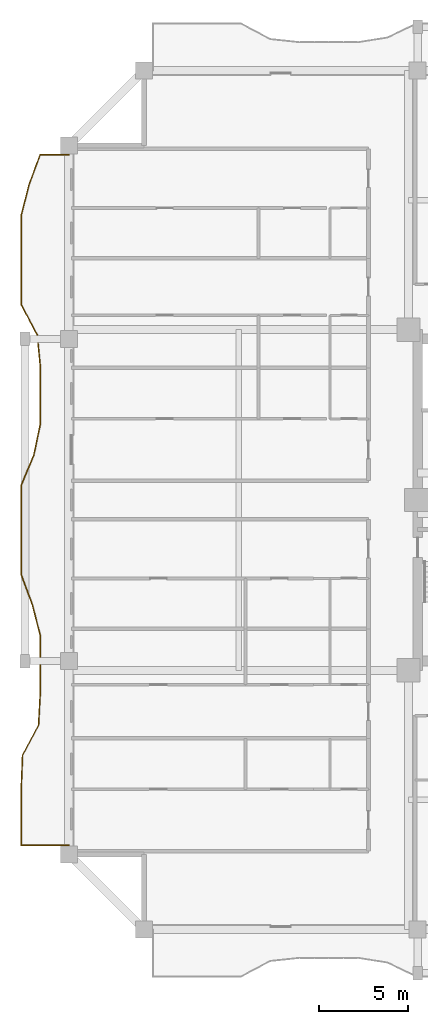
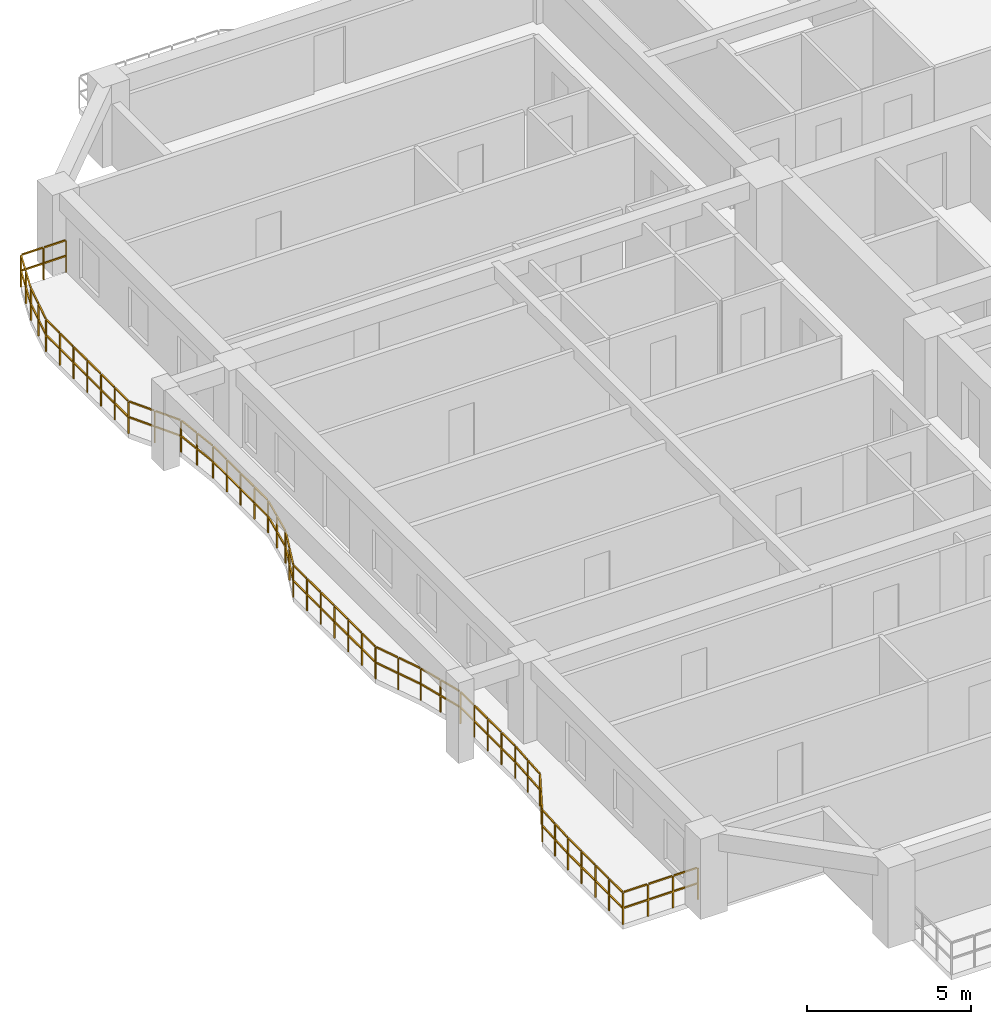
# One storey, part 10 of 13: 1 railing.
"""IFC4 building model written with IfcOpenShell, lengths in metres."""

from ifc_helpers import new_model, si_unit, direction, frame, origin, origin_2d, place, context, subcontext, project, spatial, rectangle, extrude, material, type_object, element, save


model = new_model("IFC4")

# Units and contexts
model_context = context("Model", 3, precision=1e-05, world=origin(), true_north=direction((0.0, 1.0)))
body_context = subcontext(model_context, "Body", "Model", "MODEL_VIEW")
ifc_project = project(units=[si_unit("LENGTHUNIT", "METRE"), si_unit("AREAUNIT", "SQUARE_METRE"), si_unit("VOLUMEUNIT", "CUBIC_METRE"), si_unit("PLANEANGLEUNIT", "RADIAN"), si_unit("MASSUNIT", "GRAM", prefix="KILO")], contexts=[model_context])

# Site, building, storey
site_placement = place(None, origin())
site = spatial("IfcSite", under=ifc_project, at=site_placement, CompositionType="ELEMENT")
building_placement = place(site_placement, origin())
building = spatial("IfcBuilding", under=site, at=building_placement, Name="Saelheon Loggia Tower", CompositionType="ELEMENT")
storey_placement = place(building_placement, frame((0.0, 0.0, 92.85009765625)))
storey = spatial("IfcBuildingStorey", under=building, at=storey_placement, Name="L29", CompositionType="ELEMENT", Elevation=92.85009765625)

# Railing
ifc_material = material(Name="Architectural Precast Concrete and Laminated Glass Guard", Category="concrete")
railing_type = type_object("IfcRailingType", Name="Guard_Loggia_RL_LOG", PredefinedType="BALUSTRADE", material=ifc_material)
railing_placement = place(storey_placement, frame((12.0, 46.300048828125, 0.0)))
element("IfcRailing", 1, at=railing_placement, inside=storey, type_object=railing_type, Name="L29 West Loggia Balustrade", PredefinedType="BALUSTRADE", context=body_context, shape_type="SweptSolid", body=[
    extrude(rectangle(XDim=0.048095703125, YDim=0.048095703125, at=origin_2d()), frame((-0.033203125, 0.0, 1.19580078125), z_axis=(-1.0, 0.0, 0.0), x_axis=(0.0, -1.0, 0.0)), (0.0, 0.0, 1.0), 0.733642578125),
    extrude(rectangle(XDim=0.048095703125, YDim=0.048095703125, at=origin_2d()), frame((-0.033203125, 0.0, 0.60986328125), z_axis=(-1.0, 0.0, 0.0), x_axis=(0.0, -1.0, 0.0)), (0.0, 0.0, 1.0), 0.733642578125),
    extrude(rectangle(XDim=0.048095703125, YDim=0.048095703125, at=origin_2d()), frame((-0.833251953125, 0.0, 1.19580078125), z_axis=(-1.0, 0.0, 0.0), x_axis=(0.0, -1.0, 0.0)), (0.0, 0.0, 1.0), 0.733642578125),
    extrude(rectangle(XDim=0.048095703125, YDim=0.048095703125, at=origin_2d()), frame((-0.833251953125, 0.0, 0.60986328125), z_axis=(-1.0, 0.0, 0.0), x_axis=(0.0, -1.0, 0.0)), (0.0, 0.0, 1.0), 0.733642578125),
    extrude(rectangle(XDim=0.048095703125, YDim=0.048095703125, at=origin_2d()), frame((-1.611572265625, -0.03125, 1.19580078125), z_axis=(-0.346318659518, -0.938116936245, 0.0), x_axis=(0.938116936245, -0.346318659518, 0.0)), (0.0, 0.0, 1.0), 0.828125),
    extrude(rectangle(XDim=0.048095703125, YDim=0.048095703125, at=origin_2d()), frame((-1.611572265625, -0.03125, 0.60986328125), z_axis=(-0.346318659518, -0.938116936245, 0.0), x_axis=(0.938116936245, -0.346318659518, 0.0)), (0.0, 0.0, 1.0), 0.828125),
    extrude(rectangle(XDim=0.048095703125, YDim=0.048095703125, at=origin_2d()), frame((-1.92138671875, -0.870361328125, 1.19580078125), z_axis=(-0.346318659518, -0.938116936245, 0.0), x_axis=(0.938116936245, -0.346318659518, 0.0)), (0.0, 0.0, 1.0), 0.828125),
    extrude(rectangle(XDim=0.048095703125, YDim=0.048095703125, at=origin_2d()), frame((-1.92138671875, -0.870361328125, 0.60986328125), z_axis=(-0.346318659518, -0.938116936245, 0.0), x_axis=(0.938116936245, -0.346318659518, 0.0)), (0.0, 0.0, 1.0), 0.828125),
    extrude(rectangle(XDim=0.048095703125, YDim=0.048095703125, at=origin_2d()), frame((-2.22802734375, -1.710693359375, 1.19580078125), z_axis=(-0.248334659432, -0.968674298681, 0.0), x_axis=(0.968674298681, -0.248334659432, 0.0)), (0.0, 0.0, 1.0), 0.799560546875),
    extrude(rectangle(XDim=0.048095703125, YDim=0.048095703125, at=origin_2d()), frame((-2.22802734375, -1.710693359375, 0.60986328125), z_axis=(-0.248334659432, -0.968674298681, 0.0), x_axis=(0.968674298681, -0.248334659432, 0.0)), (0.0, 0.0, 1.0), 0.799560546875),
    extrude(rectangle(XDim=0.048095703125, YDim=0.048095703125, at=origin_2d()), frame((-2.443115234375, -2.549560546875, 1.19580078125), z_axis=(-0.248334659432, -0.968674298681, 0.0), x_axis=(0.968674298681, -0.248334659432, 0.0)), (0.0, 0.0, 1.0), 0.799560546875),
    extrude(rectangle(XDim=0.048095703125, YDim=0.048095703125, at=origin_2d()), frame((-2.443115234375, -2.549560546875, 0.60986328125), z_axis=(-0.248334659432, -0.968674298681, 0.0), x_axis=(0.968674298681, -0.248334659432, 0.0)), (0.0, 0.0, 1.0), 0.799560546875),
    extrude(rectangle(XDim=0.048095703125, YDim=0.048095703125, at=origin_2d()), frame((-2.64990234375, -3.3896484375, 1.19580078125), z_axis=(0.0, -1.0, 0.0), x_axis=(1.0, 0.0, 0.0)), (0.0, 0.0, 1.0), 0.772705078125),
    extrude(rectangle(XDim=0.048095703125, YDim=0.048095703125, at=origin_2d()), frame((-2.64990234375, -3.3896484375, 0.60986328125), z_axis=(0.0, -1.0, 0.0), x_axis=(1.0, 0.0, 0.0)), (0.0, 0.0, 1.0), 0.772705078125),
    extrude(rectangle(XDim=0.048095703125, YDim=0.048095703125, at=origin_2d()), frame((-2.64990234375, -4.22900390625, 1.19580078125), z_axis=(0.0, -1.0, 0.0), x_axis=(1.0, 0.0, 0.0)), (0.0, 0.0, 1.0), 0.772705078125),
    extrude(rectangle(XDim=0.048095703125, YDim=0.048095703125, at=origin_2d()), frame((-2.64990234375, -4.22900390625, 0.60986328125), z_axis=(0.0, -1.0, 0.0), x_axis=(1.0, 0.0, 0.0)), (0.0, 0.0, 1.0), 0.772705078125),
    extrude(rectangle(XDim=0.048095703125, YDim=0.048095703125, at=origin_2d()), frame((-2.64990234375, -5.068115234375, 1.19580078125), z_axis=(0.0, -1.0, 0.0), x_axis=(1.0, 0.0, 0.0)), (0.0, 0.0, 1.0), 0.772705078125),
    extrude(rectangle(XDim=0.048095703125, YDim=0.048095703125, at=origin_2d()), frame((-2.64990234375, -5.068115234375, 0.60986328125), z_axis=(0.0, -1.0, 0.0), x_axis=(1.0, 0.0, 0.0)), (0.0, 0.0, 1.0), 0.772705078125),
    extrude(rectangle(XDim=0.048095703125, YDim=0.048095703125, at=origin_2d()), frame((-2.64990234375, -5.9072265625, 1.19580078125), z_axis=(0.0, -1.0, 0.0), x_axis=(1.0, 0.0, 0.0)), (0.0, 0.0, 1.0), 0.772705078125),
    extrude(rectangle(XDim=0.048095703125, YDim=0.048095703125, at=origin_2d()), frame((-2.64990234375, -5.9072265625, 0.60986328125), z_axis=(0.0, -1.0, 0.0), x_axis=(1.0, 0.0, 0.0)), (0.0, 0.0, 1.0), 0.772705078125),
    extrude(rectangle(XDim=0.048095703125, YDim=0.048095703125, at=origin_2d()), frame((-2.64990234375, -6.746337890625, 1.19580078125), z_axis=(0.0, -1.0, 0.0), x_axis=(1.0, 0.0, 0.0)), (0.0, 0.0, 1.0), 0.772705078125),
    extrude(rectangle(XDim=0.048095703125, YDim=0.048095703125, at=origin_2d()), frame((-2.64990234375, -6.746337890625, 0.60986328125), z_axis=(0.0, -1.0, 0.0), x_axis=(1.0, 0.0, 0.0)), (0.0, 0.0, 1.0), 0.772705078125),
    extrude(rectangle(XDim=0.048095703125, YDim=0.048095703125, at=origin_2d()), frame((-2.64990234375, -7.58544921875, 1.19580078125), z_axis=(0.0, -1.0, 0.0), x_axis=(1.0, 0.0, 0.0)), (0.0, 0.0, 1.0), 0.772705078125),
    extrude(rectangle(XDim=0.048095703125, YDim=0.048095703125, at=origin_2d()), frame((-2.64990234375, -7.58544921875, 0.60986328125), z_axis=(0.0, -1.0, 0.0), x_axis=(1.0, 0.0, 0.0)), (0.0, 0.0, 1.0), 0.772705078125),
    extrude(rectangle(XDim=0.048095703125, YDim=0.048095703125, at=origin_2d()), frame((-2.63427734375, -8.420654296875, 1.19580078125), z_axis=(0.466764209915, -0.884381802358, 0.0), x_axis=(0.884381802358, 0.466764209915, 0.0)), (0.0, 0.0, 1.0), 0.88232421875),
    extrude(rectangle(XDim=0.048095703125, YDim=0.048095703125, at=origin_2d()), frame((-2.63427734375, -8.420654296875, 0.60986328125), z_axis=(0.466764209915, -0.884381802358, 0.0), x_axis=(0.884381802358, 0.466764209915, 0.0)), (0.0, 0.0, 1.0), 0.88232421875),
    extrude(rectangle(XDim=0.048095703125, YDim=0.048095703125, at=origin_2d()), frame((-2.19140625, -9.259765625, 1.19580078125), z_axis=(0.466764209915, -0.884381802358, 0.0), x_axis=(0.884381802358, 0.466764209915, 0.0)), (0.0, 0.0, 1.0), 0.88232421875),
    extrude(rectangle(XDim=0.048095703125, YDim=0.048095703125, at=origin_2d()), frame((-2.19140625, -9.259765625, 0.60986328125), z_axis=(0.466764209915, -0.884381802358, 0.0), x_axis=(0.884381802358, 0.466764209915, 0.0)), (0.0, 0.0, 1.0), 0.88232421875),
    extrude(rectangle(XDim=0.048095703125, YDim=0.048095703125, at=origin_2d()), frame((-1.760986328125, -10.1025390625, 1.19580078125), z_axis=(0.097295853683, -0.995255503304, 0.0), x_axis=(0.995255503304, 0.097295853683, 0.0)), (0.0, 0.0, 1.0), 0.776611328125),
    extrude(rectangle(XDim=0.048095703125, YDim=0.048095703125, at=origin_2d()), frame((-1.760986328125, -10.1025390625, 0.60986328125), z_axis=(0.097295853683, -0.995255503304, 0.0), x_axis=(0.995255503304, 0.097295853683, 0.0)), (0.0, 0.0, 1.0), 0.776611328125),
    extrude(rectangle(XDim=0.048095703125, YDim=0.048095703125, at=origin_2d()), frame((-1.678955078125, -10.941650390625, 1.19580078125), z_axis=(0.097295853683, -0.995255503304, 0.0), x_axis=(0.995255503304, 0.097295853683, 0.0)), (0.0, 0.0, 1.0), 0.776611328125),
    extrude(rectangle(XDim=0.048095703125, YDim=0.048095703125, at=origin_2d()), frame((-1.678955078125, -10.941650390625, 0.60986328125), z_axis=(0.097295853683, -0.995255503304, 0.0), x_axis=(0.995255503304, 0.097295853683, 0.0)), (0.0, 0.0, 1.0), 0.776611328125),
    extrude(rectangle(XDim=0.048095703125, YDim=0.048095703125, at=origin_2d()), frame((-1.60009765625, -11.781005859375, 1.19580078125), z_axis=(0.0, -1.0, 0.0), x_axis=(1.0, 0.0, 0.0)), (0.0, 0.0, 1.0), 0.772705078125),
    extrude(rectangle(XDim=0.048095703125, YDim=0.048095703125, at=origin_2d()), frame((-1.60009765625, -11.781005859375, 0.60986328125), z_axis=(0.0, -1.0, 0.0), x_axis=(1.0, 0.0, 0.0)), (0.0, 0.0, 1.0), 0.772705078125),
    extrude(rectangle(XDim=0.048095703125, YDim=0.048095703125, at=origin_2d()), frame((-1.60009765625, -12.620361328125, 1.19580078125), z_axis=(0.0, -1.0, 0.0), x_axis=(1.0, 0.0, 0.0)), (0.0, 0.0, 1.0), 0.772705078125),
    extrude(rectangle(XDim=0.048095703125, YDim=0.048095703125, at=origin_2d()), frame((-1.60009765625, -12.620361328125, 0.60986328125), z_axis=(0.0, -1.0, 0.0), x_axis=(1.0, 0.0, 0.0)), (0.0, 0.0, 1.0), 0.772705078125),
    extrude(rectangle(XDim=0.048095703125, YDim=0.048095703125, at=origin_2d()), frame((-1.60009765625, -13.45947265625, 1.19580078125), z_axis=(0.0, -1.0, 0.0), x_axis=(1.0, 0.0, 0.0)), (0.0, 0.0, 1.0), 0.7724609375),
    extrude(rectangle(XDim=0.048095703125, YDim=0.048095703125, at=origin_2d()), frame((-1.60009765625, -13.45947265625, 0.60986328125), z_axis=(0.0, -1.0, 0.0), x_axis=(1.0, 0.0, 0.0)), (0.0, 0.0, 1.0), 0.7724609375),
    extrude(rectangle(XDim=0.048095703125, YDim=0.048095703125, at=origin_2d()), frame((-1.60009765625, -14.298583984375, 1.19580078125), z_axis=(0.0, -1.0, 0.0), x_axis=(1.0, 0.0, 0.0)), (0.0, 0.0, 1.0), 0.7724609375),
    extrude(rectangle(XDim=0.048095703125, YDim=0.048095703125, at=origin_2d()), frame((-1.60009765625, -14.298583984375, 0.60986328125), z_axis=(0.0, -1.0, 0.0), x_axis=(1.0, 0.0, 0.0)), (0.0, 0.0, 1.0), 0.7724609375),
    extrude(rectangle(XDim=0.048095703125, YDim=0.048095703125, at=origin_2d()), frame((-1.60693359375, -15.13671875, 1.19580078125), z_axis=(-0.204596686386, -0.978846359711, 0.0), x_axis=(0.978846359711, -0.204596686386, 0.0)), (0.0, 0.0, 1.0), 0.791015625),
    extrude(rectangle(XDim=0.048095703125, YDim=0.048095703125, at=origin_2d()), frame((-1.60693359375, -15.13671875, 0.60986328125), z_axis=(-0.204596686386, -0.978846359711, 0.0), x_axis=(0.978846359711, -0.204596686386, 0.0)), (0.0, 0.0, 1.0), 0.791015625),
    extrude(rectangle(XDim=0.048095703125, YDim=0.048095703125, at=origin_2d()), frame((-1.7822265625, -15.97607421875, 1.19580078125), z_axis=(-0.204596686386, -0.978846359711, 0.0), x_axis=(0.978846359711, -0.204596686386, 0.0)), (0.0, 0.0, 1.0), 0.791015625),
    extrude(rectangle(XDim=0.048095703125, YDim=0.048095703125, at=origin_2d()), frame((-1.7822265625, -15.97607421875, 0.60986328125), z_axis=(-0.204596686386, -0.978846359711, 0.0), x_axis=(0.978846359711, -0.204596686386, 0.0)), (0.0, 0.0, 1.0), 0.791015625),
    extrude(rectangle(XDim=0.048095703125, YDim=0.048095703125, at=origin_2d()), frame((-1.963623046875, -16.8134765625, 1.19580078125), z_axis=(-0.384481881871, -0.923132537891, 0.0), x_axis=(0.923132537891, -0.384481881871, 0.0)), (0.0, 0.0, 1.0), 0.842529296875),
    extrude(rectangle(XDim=0.048095703125, YDim=0.048095703125, at=origin_2d()), frame((-1.963623046875, -16.8134765625, 0.60986328125), z_axis=(-0.384481881871, -0.923132537891, 0.0), x_axis=(0.923132537891, -0.384481881871, 0.0)), (0.0, 0.0, 1.0), 0.842529296875),
    extrude(rectangle(XDim=0.048095703125, YDim=0.048095703125, at=origin_2d()), frame((-2.313232421875, -17.652587890625, 1.19580078125), z_axis=(-0.384481881871, -0.923132537891, 0.0), x_axis=(0.923132537891, -0.384481881871, 0.0)), (0.0, 0.0, 1.0), 0.842529296875),
    extrude(rectangle(XDim=0.048095703125, YDim=0.048095703125, at=origin_2d()), frame((-2.313232421875, -17.652587890625, 0.60986328125), z_axis=(-0.384481881871, -0.923132537891, 0.0), x_axis=(0.923132537891, -0.384481881871, 0.0)), (0.0, 0.0, 1.0), 0.842529296875),
    extrude(rectangle(XDim=0.048095703125, YDim=0.048095703125, at=origin_2d()), frame((-2.64990234375, -18.494140625, 1.19580078125), z_axis=(0.0, -1.0, 0.0), x_axis=(1.0, 0.0, 0.0)), (0.0, 0.0, 1.0), 0.772705078125),
    extrude(rectangle(XDim=0.048095703125, YDim=0.048095703125, at=origin_2d()), frame((-2.64990234375, -18.494140625, 0.60986328125), z_axis=(0.0, -1.0, 0.0), x_axis=(1.0, 0.0, 0.0)), (0.0, 0.0, 1.0), 0.772705078125),
    extrude(rectangle(XDim=0.048095703125, YDim=0.048095703125, at=origin_2d()), frame((-2.64990234375, -19.333251953125, 1.19580078125), z_axis=(0.0, -1.0, 0.0), x_axis=(1.0, 0.0, 0.0)), (0.0, 0.0, 1.0), 0.772705078125),
    extrude(rectangle(XDim=0.048095703125, YDim=0.048095703125, at=origin_2d()), frame((-2.64990234375, -19.333251953125, 0.60986328125), z_axis=(0.0, -1.0, 0.0), x_axis=(1.0, 0.0, 0.0)), (0.0, 0.0, 1.0), 0.772705078125),
    extrude(rectangle(XDim=0.048095703125, YDim=0.048095703125, at=origin_2d()), frame((-2.64990234375, -20.17236328125, 1.19580078125), z_axis=(0.0, -1.0, 0.0), x_axis=(1.0, 0.0, 0.0)), (0.0, 0.0, 1.0), 0.772705078125),
    extrude(rectangle(XDim=0.048095703125, YDim=0.048095703125, at=origin_2d()), frame((-2.64990234375, -20.17236328125, 0.60986328125), z_axis=(0.0, -1.0, 0.0), x_axis=(1.0, 0.0, 0.0)), (0.0, 0.0, 1.0), 0.772705078125),
    extrude(rectangle(XDim=0.048095703125, YDim=0.048095703125, at=origin_2d()), frame((-2.64990234375, -21.011474609375, 1.19580078125), z_axis=(0.0, -1.0, 0.0), x_axis=(1.0, 0.0, 0.0)), (0.0, 0.0, 1.0), 0.772705078125),
    extrude(rectangle(XDim=0.048095703125, YDim=0.048095703125, at=origin_2d()), frame((-2.64990234375, -21.011474609375, 0.60986328125), z_axis=(0.0, -1.0, 0.0), x_axis=(1.0, 0.0, 0.0)), (0.0, 0.0, 1.0), 0.772705078125),
    extrude(rectangle(XDim=0.048095703125, YDim=0.048095703125, at=origin_2d()), frame((-2.64990234375, -21.8505859375, 1.19580078125), z_axis=(0.0, -1.0, 0.0), x_axis=(1.0, 0.0, 0.0)), (0.0, 0.0, 1.0), 0.772705078125),
    extrude(rectangle(XDim=0.048095703125, YDim=0.048095703125, at=origin_2d()), frame((-2.64990234375, -21.8505859375, 0.60986328125), z_axis=(0.0, -1.0, 0.0), x_axis=(1.0, 0.0, 0.0)), (0.0, 0.0, 1.0), 0.772705078125),
    extrude(rectangle(XDim=0.048095703125, YDim=0.048095703125, at=origin_2d()), frame((-2.64990234375, -22.68994140625, 1.19580078125), z_axis=(0.0, -1.0, 0.0), x_axis=(1.0, 0.0, 0.0)), (0.0, 0.0, 1.0), 0.772705078125),
    extrude(rectangle(XDim=0.048095703125, YDim=0.048095703125, at=origin_2d()), frame((-2.64990234375, -22.68994140625, 0.60986328125), z_axis=(0.0, -1.0, 0.0), x_axis=(1.0, 0.0, 0.0)), (0.0, 0.0, 1.0), 0.772705078125),
    extrude(rectangle(XDim=0.048095703125, YDim=0.048095703125, at=origin_2d()), frame((-2.638427734375, -23.527099609375, 1.19580078125), z_axis=(0.347367679111, -0.937729009634, 0.0), x_axis=(0.937729009634, 0.347367679111, 0.0)), (0.0, 0.0, 1.0), 0.828125),
    extrude(rectangle(XDim=0.048095703125, YDim=0.048095703125, at=origin_2d()), frame((-2.638427734375, -23.527099609375, 0.60986328125), z_axis=(0.347367679111, -0.937729009634, 0.0), x_axis=(0.937729009634, 0.347367679111, 0.0)), (0.0, 0.0, 1.0), 0.828125),
    extrude(rectangle(XDim=0.048095703125, YDim=0.048095703125, at=origin_2d()), frame((-2.32763671875, -24.365966796875, 1.19580078125), z_axis=(0.347367679111, -0.937729009634, 0.0), x_axis=(0.937729009634, 0.347367679111, 0.0)), (0.0, 0.0, 1.0), 0.828125),
    extrude(rectangle(XDim=0.048095703125, YDim=0.048095703125, at=origin_2d()), frame((-2.32763671875, -24.365966796875, 0.60986328125), z_axis=(0.347367679111, -0.937729009634, 0.0), x_axis=(0.937729009634, 0.347367679111, 0.0)), (0.0, 0.0, 1.0), 0.828125),
    extrude(rectangle(XDim=0.048095703125, YDim=0.048095703125, at=origin_2d()), frame((-2.02001953125, -25.2060546875, 1.19580078125), z_axis=(0.247208698516, -0.968962259006, 0.0), x_axis=(0.968962259006, 0.247208698516, 0.0)), (0.0, 0.0, 1.0), 0.799560546875),
    extrude(rectangle(XDim=0.048095703125, YDim=0.048095703125, at=origin_2d()), frame((-2.02001953125, -25.2060546875, 0.60986328125), z_axis=(0.247208698516, -0.968962259006, 0.0), x_axis=(0.968962259006, 0.247208698516, 0.0)), (0.0, 0.0, 1.0), 0.799560546875),
    extrude(rectangle(XDim=0.048095703125, YDim=0.048095703125, at=origin_2d()), frame((-1.805908203125, -26.045166015625, 1.19580078125), z_axis=(0.247208698516, -0.968962259006, 0.0), x_axis=(0.968962259006, 0.247208698516, 0.0)), (0.0, 0.0, 1.0), 0.799560546875),
    extrude(rectangle(XDim=0.048095703125, YDim=0.048095703125, at=origin_2d()), frame((-1.805908203125, -26.045166015625, 0.60986328125), z_axis=(0.247208698516, -0.968962259006, 0.0), x_axis=(0.968962259006, 0.247208698516, 0.0)), (0.0, 0.0, 1.0), 0.799560546875),
    extrude(rectangle(XDim=0.048095703125, YDim=0.048095703125, at=origin_2d()), frame((-1.60009765625, -26.885498046875, 1.19580078125), z_axis=(0.0, -1.0, 0.0), x_axis=(1.0, 0.0, 0.0)), (0.0, 0.0, 1.0), 0.772705078125),
    extrude(rectangle(XDim=0.048095703125, YDim=0.048095703125, at=origin_2d()), frame((-1.60009765625, -26.885498046875, 0.60986328125), z_axis=(0.0, -1.0, 0.0), x_axis=(1.0, 0.0, 0.0)), (0.0, 0.0, 1.0), 0.772705078125),
    extrude(rectangle(XDim=0.048095703125, YDim=0.048095703125, at=origin_2d()), frame((-1.60009765625, -27.724609375, 1.19580078125), z_axis=(0.0, -1.0, 0.0), x_axis=(1.0, 0.0, 0.0)), (0.0, 0.0, 1.0), 0.772705078125),
    extrude(rectangle(XDim=0.048095703125, YDim=0.048095703125, at=origin_2d()), frame((-1.60009765625, -27.724609375, 0.60986328125), z_axis=(0.0, -1.0, 0.0), x_axis=(1.0, 0.0, 0.0)), (0.0, 0.0, 1.0), 0.772705078125),
    extrude(rectangle(XDim=0.048095703125, YDim=0.048095703125, at=origin_2d()), frame((-1.60009765625, -28.563720703125, 1.19580078125), z_axis=(0.0, -1.0, 0.0), x_axis=(1.0, 0.0, 0.0)), (0.0, 0.0, 1.0), 0.772705078125),
    extrude(rectangle(XDim=0.048095703125, YDim=0.048095703125, at=origin_2d()), frame((-1.60009765625, -28.563720703125, 0.60986328125), z_axis=(0.0, -1.0, 0.0), x_axis=(1.0, 0.0, 0.0)), (0.0, 0.0, 1.0), 0.772705078125),
    extrude(rectangle(XDim=0.048095703125, YDim=0.048095703125, at=origin_2d()), frame((-1.60009765625, -29.40283203125, 1.19580078125), z_axis=(0.0, -1.0, 0.0), x_axis=(1.0, 0.0, 0.0)), (0.0, 0.0, 1.0), 0.772705078125),
    extrude(rectangle(XDim=0.048095703125, YDim=0.048095703125, at=origin_2d()), frame((-1.60009765625, -29.40283203125, 0.60986328125), z_axis=(0.0, -1.0, 0.0), x_axis=(1.0, 0.0, 0.0)), (0.0, 0.0, 1.0), 0.772705078125),
    extrude(rectangle(XDim=0.048095703125, YDim=0.048095703125, at=origin_2d()), frame((-1.601806640625, -30.241943359375, 1.19580078125), z_axis=(-0.053603359192, -0.99856230646, 0.0), x_axis=(0.99856230646, -0.053603359192, 0.0)), (0.0, 0.0, 1.0), 0.77392578125),
    extrude(rectangle(XDim=0.048095703125, YDim=0.048095703125, at=origin_2d()), frame((-1.601806640625, -30.241943359375, 0.60986328125), z_axis=(-0.053603359192, -0.99856230646, 0.0), x_axis=(0.99856230646, -0.053603359192, 0.0)), (0.0, 0.0, 1.0), 0.77392578125),
    extrude(rectangle(XDim=0.048095703125, YDim=0.048095703125, at=origin_2d()), frame((-1.64697265625, -31.0810546875, 1.19580078125), z_axis=(-0.053603359192, -0.99856230646, 0.0), x_axis=(0.99856230646, -0.053603359192, 0.0)), (0.0, 0.0, 1.0), 0.77392578125),
    extrude(rectangle(XDim=0.048095703125, YDim=0.048095703125, at=origin_2d()), frame((-1.64697265625, -31.0810546875, 0.60986328125), z_axis=(-0.053603359192, -0.99856230646, 0.0), x_axis=(0.99856230646, -0.053603359192, 0.0)), (0.0, 0.0, 1.0), 0.77392578125),
    extrude(rectangle(XDim=0.048095703125, YDim=0.048095703125, at=origin_2d()), frame((-1.705810546875, -31.916259765625, 1.19580078125), z_axis=(-0.470574910471, -0.88236004762, 0.0), x_axis=(0.88236004762, -0.470574910471, 0.0)), (0.0, 0.0, 1.0), 0.884521484375),
    extrude(rectangle(XDim=0.048095703125, YDim=0.048095703125, at=origin_2d()), frame((-1.705810546875, -31.916259765625, 0.60986328125), z_axis=(-0.470574910471, -0.88236004762, 0.0), x_axis=(0.88236004762, -0.470574910471, 0.0)), (0.0, 0.0, 1.0), 0.884521484375),
    extrude(rectangle(XDim=0.048095703125, YDim=0.048095703125, at=origin_2d()), frame((-2.1533203125, -32.75537109375, 1.19580078125), z_axis=(-0.470574910471, -0.88236004762, 0.0), x_axis=(0.88236004762, -0.470574910471, 0.0)), (0.0, 0.0, 1.0), 0.884521484375),
    extrude(rectangle(XDim=0.048095703125, YDim=0.048095703125, at=origin_2d()), frame((-2.1533203125, -32.75537109375, 0.60986328125), z_axis=(-0.470574910471, -0.88236004762, 0.0), x_axis=(0.88236004762, -0.470574910471, 0.0)), (0.0, 0.0, 1.0), 0.884521484375),
    extrude(rectangle(XDim=0.048095703125, YDim=0.048095703125, at=origin_2d()), frame((-2.58642578125, -33.598388671875, 1.19580078125), z_axis=(-0.038516851919, -0.999257950741, 0.0), x_axis=(0.999257950741, -0.038516851919, 0.0)), (0.0, 0.0, 1.0), 0.7734375),
    extrude(rectangle(XDim=0.048095703125, YDim=0.048095703125, at=origin_2d()), frame((-2.58642578125, -33.598388671875, 0.60986328125), z_axis=(-0.038516851919, -0.999257950741, 0.0), x_axis=(0.999257950741, -0.038516851919, 0.0)), (0.0, 0.0, 1.0), 0.7734375),
    extrude(rectangle(XDim=0.048095703125, YDim=0.048095703125, at=origin_2d()), frame((-2.618896484375, -34.437744140625, 1.19580078125), z_axis=(-0.038516851919, -0.999257950741, 0.0), x_axis=(0.999257950741, -0.038516851919, 0.0)), (0.0, 0.0, 1.0), 0.7734375),
    extrude(rectangle(XDim=0.048095703125, YDim=0.048095703125, at=origin_2d()), frame((-2.618896484375, -34.437744140625, 0.60986328125), z_axis=(-0.038516851919, -0.999257950741, 0.0), x_axis=(0.999257950741, -0.038516851919, 0.0)), (0.0, 0.0, 1.0), 0.7734375),
    extrude(rectangle(XDim=0.048095703125, YDim=0.048095703125, at=origin_2d()), frame((-2.64990234375, -35.27685546875, 1.19580078125), z_axis=(0.0, -1.0, 0.0), x_axis=(1.0, 0.0, 0.0)), (0.0, 0.0, 1.0), 0.7724609375),
    extrude(rectangle(XDim=0.048095703125, YDim=0.048095703125, at=origin_2d()), frame((-2.64990234375, -35.27685546875, 0.60986328125), z_axis=(0.0, -1.0, 0.0), x_axis=(1.0, 0.0, 0.0)), (0.0, 0.0, 1.0), 0.7724609375),
    extrude(rectangle(XDim=0.048095703125, YDim=0.048095703125, at=origin_2d()), frame((-2.64990234375, -36.115966796875, 1.19580078125), z_axis=(0.0, -1.0, 0.0), x_axis=(1.0, 0.0, 0.0)), (0.0, 0.0, 1.0), 0.7724609375),
    extrude(rectangle(XDim=0.048095703125, YDim=0.048095703125, at=origin_2d()), frame((-2.64990234375, -36.115966796875, 0.60986328125), z_axis=(0.0, -1.0, 0.0), x_axis=(1.0, 0.0, 0.0)), (0.0, 0.0, 1.0), 0.7724609375),
    extrude(rectangle(XDim=0.048095703125, YDim=0.048095703125, at=origin_2d()), frame((-2.64990234375, -36.954833984375, 1.19580078125), z_axis=(0.0, -1.0, 0.0), x_axis=(1.0, 0.0, 0.0)), (0.0, 0.0, 1.0), 0.772705078125),
    extrude(rectangle(XDim=0.048095703125, YDim=0.048095703125, at=origin_2d()), frame((-2.64990234375, -36.954833984375, 0.60986328125), z_axis=(0.0, -1.0, 0.0), x_axis=(1.0, 0.0, 0.0)), (0.0, 0.0, 1.0), 0.772705078125),
    extrude(rectangle(XDim=0.048095703125, YDim=0.048095703125, at=origin_2d()), frame((-2.64990234375, -37.794189453125, 1.19580078125), z_axis=(0.0, -1.0, 0.0), x_axis=(1.0, 0.0, 0.0)), (0.0, 0.0, 1.0), 0.772705078125),
    extrude(rectangle(XDim=0.048095703125, YDim=0.048095703125, at=origin_2d()), frame((-2.64990234375, -37.794189453125, 0.60986328125), z_axis=(0.0, -1.0, 0.0), x_axis=(1.0, 0.0, 0.0)), (0.0, 0.0, 1.0), 0.772705078125),
    extrude(rectangle(XDim=0.048095703125, YDim=0.048095703125, at=origin_2d()), frame((-2.61669921875, -38.60009765625, 1.19580078125), z_axis=(1.0, 0.0, 0.0), x_axis=(0.0, 1.0, 0.0)), (0.0, 0.0, 1.0), 0.81689453125),
    extrude(rectangle(XDim=0.048095703125, YDim=0.048095703125, at=origin_2d()), frame((-2.61669921875, -38.60009765625, 0.60986328125), z_axis=(1.0, 0.0, 0.0), x_axis=(0.0, 1.0, 0.0)), (0.0, 0.0, 1.0), 0.81689453125),
    extrude(rectangle(XDim=0.048095703125, YDim=0.048095703125, at=origin_2d()), frame((-1.7333984375, -38.60009765625, 1.19580078125), z_axis=(1.0, 0.0, 0.0), x_axis=(0.0, 1.0, 0.0)), (0.0, 0.0, 1.0), 0.81689453125),
    extrude(rectangle(XDim=0.048095703125, YDim=0.048095703125, at=origin_2d()), frame((-1.7333984375, -38.60009765625, 0.60986328125), z_axis=(1.0, 0.0, 0.0), x_axis=(0.0, 1.0, 0.0)), (0.0, 0.0, 1.0), 0.81689453125),
    extrude(rectangle(XDim=0.048095703125, YDim=0.048095703125, at=origin_2d()), frame((-0.85009765625, -38.60009765625, 1.19580078125), z_axis=(1.0, 0.0, 0.0), x_axis=(0.0, 1.0, 0.0)), (0.0, 0.0, 1.0), 0.81689453125),
    extrude(rectangle(XDim=0.048095703125, YDim=0.048095703125, at=origin_2d()), frame((-0.85009765625, -38.60009765625, 0.60986328125), z_axis=(1.0, 0.0, 0.0), x_axis=(0.0, 1.0, 0.0)), (0.0, 0.0, 1.0), 0.81689453125),
    extrude(rectangle(XDim=0.0419921875, YDim=0.0419921875, at=origin_2d()), origin(), (0.0, 0.0, 1.0), 1.16796875),
    extrude(rectangle(XDim=0.0419921875, YDim=0.0419921875, at=origin_2d()), frame((-0.800048828125, 0.0, 0.0)), (0.0, 0.0, 1.0), 1.16796875),
    extrude(rectangle(XDim=0.0419921875, YDim=0.0419921875, at=origin_2d()), frame((-1.60009765625, 0.0, 0.0)), (0.0, 0.0, 1.0), 1.16796875),
    extrude(rectangle(XDim=0.0419921875, YDim=0.0419921875, at=origin_2d()), frame((-1.909912109375, -0.83935546875, 0.0)), (0.0, 0.0, 1.0), 1.16796875),
    extrude(rectangle(XDim=0.0419921875, YDim=0.0419921875, at=origin_2d()), frame((-2.2197265625, -1.678466796875, 0.0)), (0.0, 0.0, 1.0), 1.16796875),
    extrude(rectangle(XDim=0.0419921875, YDim=0.0419921875, at=origin_2d()), frame((-2.434814453125, -2.517578125, 0.0)), (0.0, 0.0, 1.0), 1.16796875),
    extrude(rectangle(XDim=0.0419921875, YDim=0.0419921875, at=origin_2d()), frame((-2.64990234375, -3.3564453125, 0.0)), (0.0, 0.0, 1.0), 1.16796875),
    extrude(rectangle(XDim=0.0419921875, YDim=0.0419921875, at=origin_2d()), frame((-2.64990234375, -4.19580078125, 0.0)), (0.0, 0.0, 1.0), 1.16796875),
    extrude(rectangle(XDim=0.0419921875, YDim=0.0419921875, at=origin_2d()), frame((-2.64990234375, -5.034912109375, 0.0)), (0.0, 0.0, 1.0), 1.16796875),
    extrude(rectangle(XDim=0.0419921875, YDim=0.0419921875, at=origin_2d()), frame((-2.64990234375, -5.8740234375, 0.0)), (0.0, 0.0, 1.0), 1.16796875),
    extrude(rectangle(XDim=0.0419921875, YDim=0.0419921875, at=origin_2d()), frame((-2.64990234375, -6.713134765625, 0.0)), (0.0, 0.0, 1.0), 1.16796875),
    extrude(rectangle(XDim=0.0419921875, YDim=0.0419921875, at=origin_2d()), frame((-2.64990234375, -7.55224609375, 0.0)), (0.0, 0.0, 1.0), 1.16796875),
    extrude(rectangle(XDim=0.0419921875, YDim=0.0419921875, at=origin_2d()), frame((-2.64990234375, -8.391357421875, 0.0)), (0.0, 0.0, 1.0), 1.16796875),
    extrude(rectangle(XDim=0.0419921875, YDim=0.0419921875, at=origin_2d()), frame((-2.20703125, -9.23046875, 0.0)), (0.0, 0.0, 1.0), 1.16796875),
    extrude(rectangle(XDim=0.0419921875, YDim=0.0419921875, at=origin_2d()), frame((-1.76416015625, -10.069580078125, 0.0)), (0.0, 0.0, 1.0), 1.16796875),
    extrude(rectangle(XDim=0.0419921875, YDim=0.0419921875, at=origin_2d()), frame((-1.68212890625, -10.90869140625, 0.0)), (0.0, 0.0, 1.0), 1.16796875),
    extrude(rectangle(XDim=0.0419921875, YDim=0.0419921875, at=origin_2d()), frame((-1.60009765625, -11.747802734375, 0.0)), (0.0, 0.0, 1.0), 1.16796875),
    extrude(rectangle(XDim=0.0419921875, YDim=0.0419921875, at=origin_2d()), frame((-1.60009765625, -12.5869140625, 0.0)), (0.0, 0.0, 1.0), 1.16796875),
    extrude(rectangle(XDim=0.0419921875, YDim=0.0419921875, at=origin_2d()), frame((-1.60009765625, -13.42626953125, 0.0)), (0.0, 0.0, 1.0), 1.16796875),
    extrude(rectangle(XDim=0.0419921875, YDim=0.0419921875, at=origin_2d()), frame((-1.60009765625, -14.26513671875, 0.0)), (0.0, 0.0, 1.0), 1.16796875),
    extrude(rectangle(XDim=0.0419921875, YDim=0.0419921875, at=origin_2d()), frame((-1.60009765625, -15.104248046875, 0.0)), (0.0, 0.0, 1.0), 1.16796875),
    extrude(rectangle(XDim=0.0419921875, YDim=0.0419921875, at=origin_2d()), frame((-1.775390625, -15.943359375, 0.0)), (0.0, 0.0, 1.0), 1.16796875),
    extrude(rectangle(XDim=0.0419921875, YDim=0.0419921875, at=origin_2d()), frame((-1.950927734375, -16.78271484375, 0.0)), (0.0, 0.0, 1.0), 1.16796875),
    extrude(rectangle(XDim=0.0419921875, YDim=0.0419921875, at=origin_2d()), frame((-2.30029296875, -17.621826171875, 0.0)), (0.0, 0.0, 1.0), 1.16796875),
    extrude(rectangle(XDim=0.0419921875, YDim=0.0419921875, at=origin_2d()), frame((-2.64990234375, -18.4609375, 0.0)), (0.0, 0.0, 1.0), 1.16796875),
    extrude(rectangle(XDim=0.0419921875, YDim=0.0419921875, at=origin_2d()), frame((-2.64990234375, -19.300048828125, 0.0)), (0.0, 0.0, 1.0), 1.16796875),
    extrude(rectangle(XDim=0.0419921875, YDim=0.0419921875, at=origin_2d()), frame((-2.64990234375, -20.13916015625, 0.0)), (0.0, 0.0, 1.0), 1.16796875),
    extrude(rectangle(XDim=0.0419921875, YDim=0.0419921875, at=origin_2d()), frame((-2.64990234375, -20.978271484375, 0.0)), (0.0, 0.0, 1.0), 1.16796875),
    extrude(rectangle(XDim=0.0419921875, YDim=0.0419921875, at=origin_2d()), frame((-2.64990234375, -21.8173828125, 0.0)), (0.0, 0.0, 1.0), 1.16796875),
    extrude(rectangle(XDim=0.0419921875, YDim=0.0419921875, at=origin_2d()), frame((-2.64990234375, -22.65673828125, 0.0)), (0.0, 0.0, 1.0), 1.16796875),
    extrude(rectangle(XDim=0.0419921875, YDim=0.0419921875, at=origin_2d()), frame((-2.64990234375, -23.495849609375, 0.0)), (0.0, 0.0, 1.0), 1.16796875),
    extrude(rectangle(XDim=0.0419921875, YDim=0.0419921875, at=origin_2d()), frame((-2.339111328125, -24.3349609375, 0.0)), (0.0, 0.0, 1.0), 1.16796875),
    extrude(rectangle(XDim=0.0419921875, YDim=0.0419921875, at=origin_2d()), frame((-2.0283203125, -25.173828125, 0.0)), (0.0, 0.0, 1.0), 1.16796875),
    extrude(rectangle(XDim=0.0419921875, YDim=0.0419921875, at=origin_2d()), frame((-1.814208984375, -26.01318359375, 0.0)), (0.0, 0.0, 1.0), 1.16796875),
    extrude(rectangle(XDim=0.0419921875, YDim=0.0419921875, at=origin_2d()), frame((-1.60009765625, -26.852294921875, 0.0)), (0.0, 0.0, 1.0), 1.16796875),
    extrude(rectangle(XDim=0.0419921875, YDim=0.0419921875, at=origin_2d()), frame((-1.60009765625, -27.69140625, 0.0)), (0.0, 0.0, 1.0), 1.16796875),
    extrude(rectangle(XDim=0.0419921875, YDim=0.0419921875, at=origin_2d()), frame((-1.60009765625, -28.530517578125, 0.0)), (0.0, 0.0, 1.0), 1.16796875),
    extrude(rectangle(XDim=0.0419921875, YDim=0.0419921875, at=origin_2d()), frame((-1.60009765625, -29.36962890625, 0.0)), (0.0, 0.0, 1.0), 1.16796875),
    extrude(rectangle(XDim=0.0419921875, YDim=0.0419921875, at=origin_2d()), frame((-1.60009765625, -30.208740234375, 0.0)), (0.0, 0.0, 1.0), 1.16796875),
    extrude(rectangle(XDim=0.0419921875, YDim=0.0419921875, at=origin_2d()), frame((-1.64501953125, -31.0478515625, 0.0)), (0.0, 0.0, 1.0), 1.16796875),
    extrude(rectangle(XDim=0.0419921875, YDim=0.0419921875, at=origin_2d()), frame((-1.690185546875, -31.886962890625, 0.0)), (0.0, 0.0, 1.0), 1.16796875),
    extrude(rectangle(XDim=0.0419921875, YDim=0.0419921875, at=origin_2d()), frame((-2.1376953125, -32.72607421875, 0.0)), (0.0, 0.0, 1.0), 1.16796875),
    extrude(rectangle(XDim=0.0419921875, YDim=0.0419921875, at=origin_2d()), frame((-2.585205078125, -33.565185546875, 0.0)), (0.0, 0.0, 1.0), 1.16796875),
    extrude(rectangle(XDim=0.0419921875, YDim=0.0419921875, at=origin_2d()), frame((-2.61767578125, -34.404296875, 0.0)), (0.0, 0.0, 1.0), 1.16796875),
    extrude(rectangle(XDim=0.0419921875, YDim=0.0419921875, at=origin_2d()), frame((-2.64990234375, -35.24365234375, 0.0)), (0.0, 0.0, 1.0), 1.16796875),
    extrude(rectangle(XDim=0.0419921875, YDim=0.0419921875, at=origin_2d()), frame((-2.64990234375, -36.08251953125, 0.0)), (0.0, 0.0, 1.0), 1.16796875),
    extrude(rectangle(XDim=0.0419921875, YDim=0.0419921875, at=origin_2d()), frame((-2.64990234375, -36.921630859375, 0.0)), (0.0, 0.0, 1.0), 1.16796875),
    extrude(rectangle(XDim=0.0419921875, YDim=0.0419921875, at=origin_2d()), frame((-2.64990234375, -37.7607421875, 0.0)), (0.0, 0.0, 1.0), 1.16796875),
    extrude(rectangle(XDim=0.0419921875, YDim=0.0419921875, at=origin_2d()), frame((-2.64990234375, -38.60009765625, 0.0)), (0.0, 0.0, 1.0), 1.16796875),
    extrude(rectangle(XDim=0.0419921875, YDim=0.0419921875, at=origin_2d()), frame((-1.7666015625, -38.60009765625, 0.0)), (0.0, 0.0, 1.0), 1.16796875),
    extrude(rectangle(XDim=0.0419921875, YDim=0.0419921875, at=origin_2d()), frame((-0.88330078125, -38.60009765625, 0.0)), (0.0, 0.0, 1.0), 1.16796875),
    extrude(rectangle(XDim=0.0419921875, YDim=0.0419921875, at=origin_2d()), frame((0.0, -38.60009765625, 0.0)), (0.0, 0.0, 1.0), 1.16796875),
])

save(model, "model.ifc")
